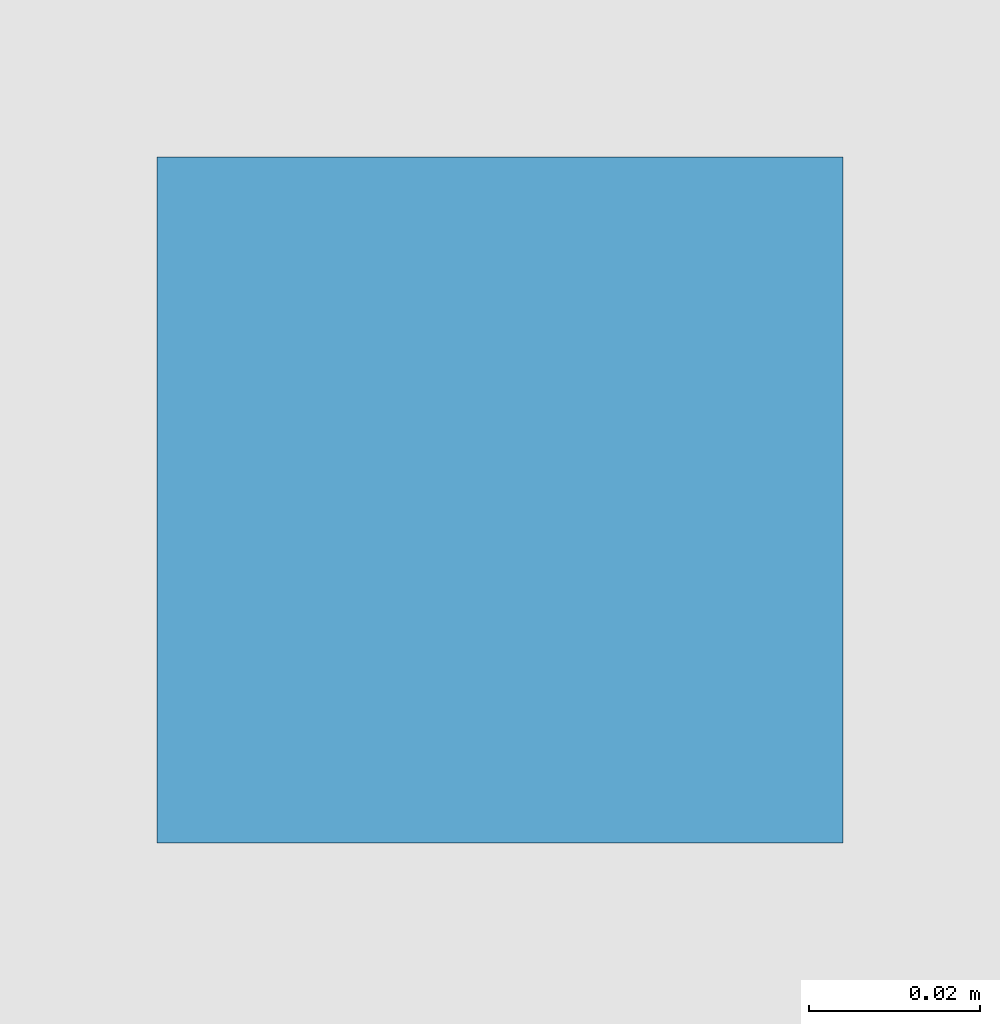
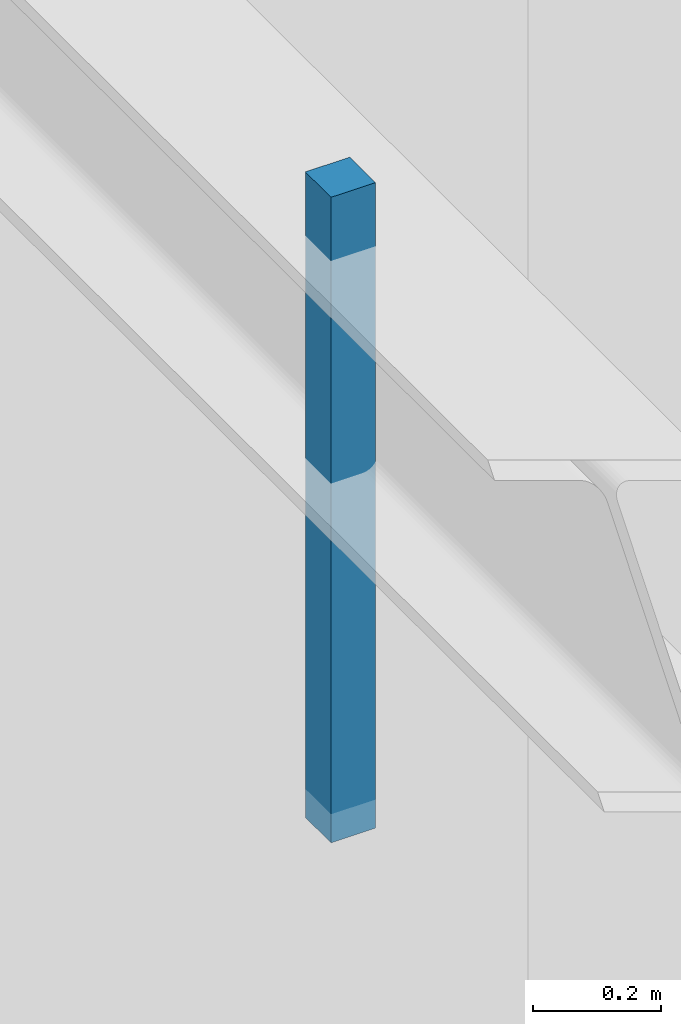
# One storey, part 145 of 163: 1 discrete accessory.
"""IFC4 building model written with IfcOpenShell, lengths in metres."""

from ifc_helpers import new_model, si_unit, direction, frame, origin, origin_2d, place, context, subcontext, project, spatial, rectangle, extrude, material, layer, layer_set, type_object, element, save


model = new_model("IFC4")

# Units and contexts
model_context = context("Model", 3, precision=1e-05, world=origin(), true_north=direction((0.0, 1.0)))
body_context = subcontext(model_context, "Body", "Model", "MODEL_VIEW")
ifc_project = project(units=[si_unit("LENGTHUNIT", "METRE"), si_unit("AREAUNIT", "SQUARE_METRE"), si_unit("VOLUMEUNIT", "CUBIC_METRE"), si_unit("PLANEANGLEUNIT", "RADIAN"), si_unit("MASSUNIT", "GRAM", prefix="KILO")], contexts=[model_context])

# Site, building, storey
site_placement = place(None, origin())
site = spatial("IfcSite", under=ifc_project, at=site_placement, CompositionType="ELEMENT")
building_placement = place(site_placement, origin())
building = spatial("IfcBuilding", under=site, at=building_placement, Name="Varnabhumi Central Station", CompositionType="ELEMENT")
storey_placement = place(building_placement, frame((0.0, 0.0, 9.60009765625)))
storey = spatial("IfcBuildingStorey", under=building, at=storey_placement, Name="L02", CompositionType="ELEMENT", Elevation=9.60009765625)

# Discrete accessory
ifc_material = material(Name="Structural steel E350", Category="steel")
ifc_layer = layer(ifc_material, 0.159912109375, Name="Structural steel E350", Category="steel")
ifc_layer_set = layer_set([ifc_layer], Name="Structural steel E350")
discrete_accessory_type = type_object("IfcDiscreteAccessoryType", Name="ACC-SHADE-BRKT", PredefinedType="BRACKET", material=ifc_layer_set)
discrete_accessory_placement = place(storey_placement, frame((55.949951171875, 111.5, 5.239990234375), z_axis=(0.0, 0.0, 1.0), x_axis=(1.0, 0.0, 0.0)))
element("IfcDiscreteAccessory", 1, at=discrete_accessory_placement, inside=storey, type_object=discrete_accessory_type, Name="Ladies' Waiting Lounge Ceiling Hanger", PredefinedType="BRACKET", context=body_context, shape_type="SweptSolid", body=[
    extrude(rectangle(XDim=0.080078125, YDim=0.080078125, at=origin_2d()), origin(), (0.0, 0.0, 1.0), 1.22998046875),
])

save(model, "model.ifc")
